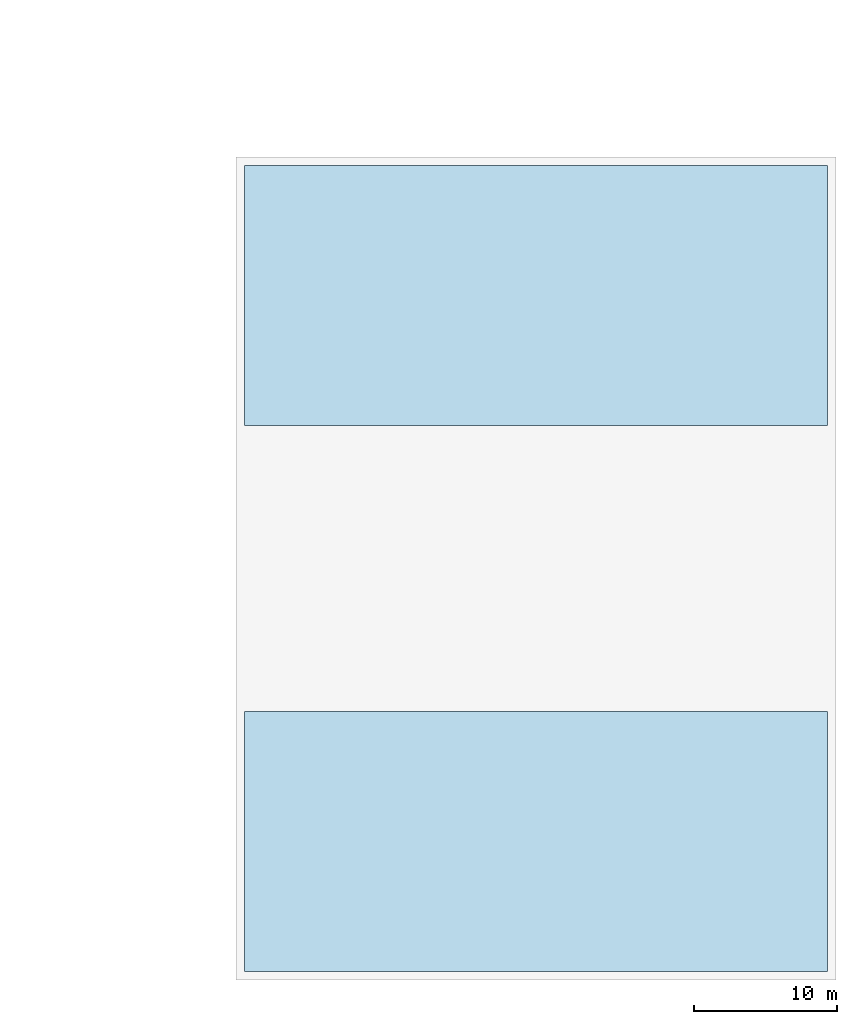
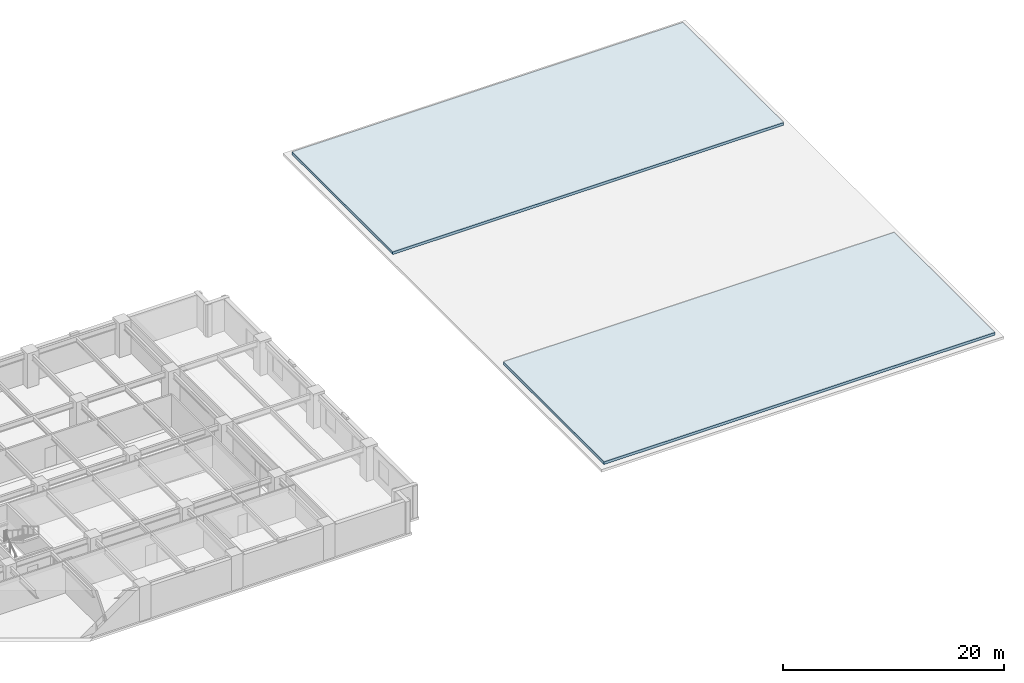
# One storey, part 9 of 14: 2 roofs.
"""IFC4 building model written with IfcOpenShell, lengths in metres."""

from ifc_helpers import new_model, si_unit, direction, frame, origin, place, context, subcontext, project, spatial, polyline, outline, extrude, material, layer, layer_set, type_object, element, save


model = new_model("IFC4")

# Units and contexts
model_context = context("Model", 3, precision=1e-05, world=origin(), true_north=direction((0.0, 1.0)))
body_context = subcontext(model_context, "Body", "Model", "MODEL_VIEW")
ifc_project = project(units=[si_unit("LENGTHUNIT", "METRE"), si_unit("AREAUNIT", "SQUARE_METRE"), si_unit("VOLUMEUNIT", "CUBIC_METRE"), si_unit("PLANEANGLEUNIT", "RADIAN"), si_unit("MASSUNIT", "GRAM", prefix="KILO")], contexts=[model_context])

# Site, building, storey
site_placement = place(None, origin())
site = spatial("IfcSite", under=ifc_project, at=site_placement, CompositionType="ELEMENT")
building_placement = place(site_placement, origin())
building = spatial("IfcBuilding", under=site, at=building_placement, Name="Norrvale University Quadrangle", CompositionType="ELEMENT")
storey_placement = place(building_placement, frame((0.0, 0.0, 24.199951171875)))
storey = spatial("IfcBuildingStorey", under=building, at=storey_placement, Name="L05", CompositionType="ELEMENT", Elevation=24.199951171875)

# Roofs
ifc_material = material(Name="Concrete C50/60", Category="concrete")
ifc_layer = layer(ifc_material, 0.300048828125, Name="Concrete C50/60")
ifc_layer_set = layer_set([ifc_layer], Name="Concrete C50/60")
roof_type = type_object("IfcRoofType", Name="Roof Crown Cap 300", PredefinedType="FLAT_ROOF", material=ifc_layer_set)
roof_1_placement = place(storey_placement, origin())
element("IfcRoof", 1, at=roof_1_placement, inside=storey, type_object=roof_type, Name="Central Library South Wing Roof", PredefinedType="FLAT_ROOF", context=body_context, shape_type="SweptSolid", body=[
    extrude(outline(polyline([(85.800048828125, 0.60009765625), (126.60009765625, 0.60009765625), (126.60009765625, 18.800048828125), (85.800048828125, 18.800048828125), (85.800048828125, 0.60009765625)])), origin(), (0.0, 0.0, 1.0), 0.300048828125),
])
roof_2_placement = place(storey_placement, origin())
element("IfcRoof", 2, at=roof_2_placement, inside=storey, type_object=roof_type, Name="Central Library North Wing Roof", PredefinedType="FLAT_ROOF", context=body_context, shape_type="SweptSolid", body=[
    extrude(outline(polyline([(85.800048828125, 38.800048828125), (126.60009765625, 38.800048828125), (126.60009765625, 57.0), (85.800048828125, 57.0), (85.800048828125, 38.800048828125)])), origin(), (0.0, 0.0, 1.0), 0.300048828125),
])

save(model, "model.ifc")
